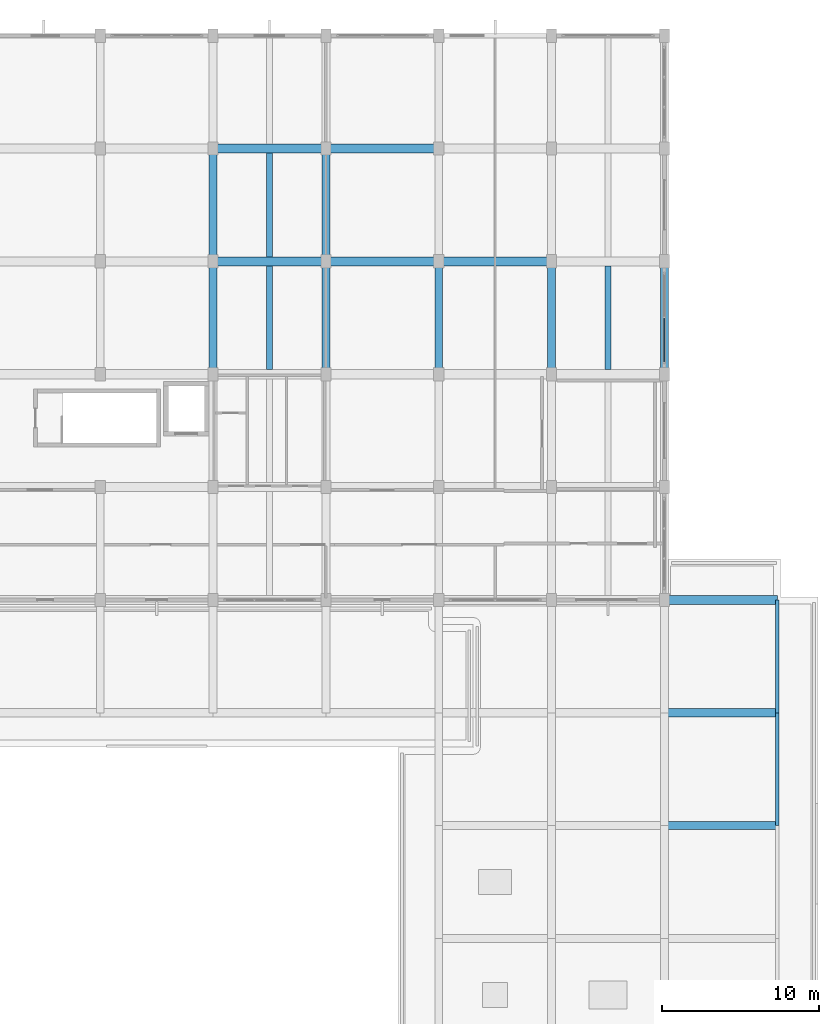
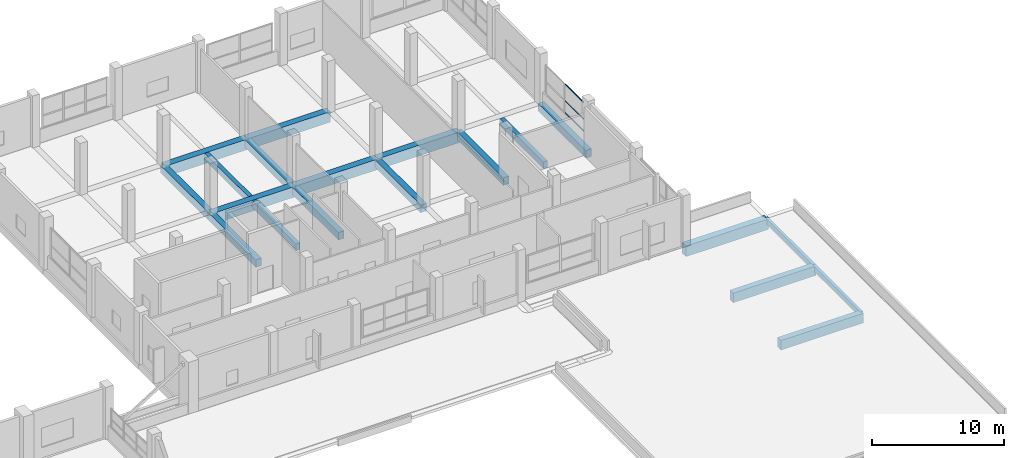
# One storey, part 103 of 140: 20 beams, 3 members, 1 element without a shape of its own.
"""IFC4 building model written with IfcOpenShell, lengths in metres."""

from ifc_helpers import new_model, si_unit, direction, frame, origin, origin_2d, place, context, subcontext, project, spatial, rectangle, hollow_rectangle, extrude, material, layer, layer_set, material_profile, profile_set, type_object, element, aggregate, save


model = new_model("IFC4")

# Units and contexts
model_context = context("Model", 3, precision=1e-05, world=origin(), true_north=direction((0.0, 1.0)))
body_context = subcontext(model_context, "Body", "Model", "MODEL_VIEW")
ifc_project = project(units=[si_unit("LENGTHUNIT", "METRE"), si_unit("AREAUNIT", "SQUARE_METRE"), si_unit("VOLUMEUNIT", "CUBIC_METRE"), si_unit("PLANEANGLEUNIT", "RADIAN"), si_unit("MASSUNIT", "GRAM", prefix="KILO")], contexts=[model_context])

# Site, building, storey
site_placement = place(None, origin())
site = spatial("IfcSite", under=ifc_project, at=site_placement, CompositionType="ELEMENT")
building_placement = place(site_placement, origin())
building = spatial("IfcBuilding", under=site, at=building_placement, Name="Seraya Terrace Polytechnic", CompositionType="ELEMENT")
storey_placement = place(building_placement, frame((0.0, 0.0, 9.60009765625)))
storey = spatial("IfcBuildingStorey", under=building, at=storey_placement, Name="L02", CompositionType="ELEMENT", Elevation=9.60009765625)

# Beams
ifc_material_1 = material(Name="Concrete C40/50", Category="concrete")
ifc_material_profile_1 = material_profile(ifc_material_1, rectangle(XDim=0.580078125, YDim=0.97998046875, at=origin_2d()), Name="RC 580x980")
ifc_profile_set_1 = profile_set([ifc_material_profile_1], Name="Concrete C40/50")
beam_type_1 = type_object("IfcBeamType", Name="BM-02", PredefinedType="BEAM", material=ifc_profile_set_1)
beam_1_placement = place(storey_placement, frame((158.39990234375, 79.199951171875, -0.489990234375), z_axis=(1.0, 0.0, 0.0), x_axis=(0.0, 1.0, 0.0)))
element("IfcBeam", 1, at=beam_1_placement, inside=storey, type_object=beam_type_1, Name="Beam BM-02 L02 X (158.4..165.6, 79.2)", PredefinedType="BEAM", context=body_context, shape_type="SweptSolid", body=[
    extrude(rectangle(XDim=0.580078125, YDim=0.97998046875, at=origin_2d()), origin(), (0.0, 0.0, 1.0), 7.2001953125),
])
for number, where, z_axis, x_axis, name in (
    (2, (129.60009765625, 100.800048828125, -0.489990234375), (1.0, 0.0, 0.0), (0.0, 1.0, 0.0), "Beam BM-02 L02 X (129.6..136.8, 100.8)"),
    (3, (136.800048828125, 100.800048828125, -0.489990234375), (1.0, 0.0, 0.0), (0.0, 1.0, 0.0), "Beam BM-02 L02 X (136.8..144.0, 100.8)"),
    (4, (144.0, 100.800048828125, -0.489990234375), (1.0, 0.0, 0.0), (0.0, 1.0, 0.0), "Beam BM-02 L02 X (144.0..151.2, 100.8)"),
    (5, (129.60009765625, 108.0, -0.489990234375), (1.0, 0.0, 0.0), (0.0, 1.0, 0.0), "Beam BM-02 L02 X (129.6..136.8, 108.0)"),
    (6, (136.800048828125, 108.0, -0.489990234375), (1.0, 0.0, 0.0), (0.0, 1.0, 0.0), "Beam BM-02 L02 X (136.8..144.0, 108.0)"),
):
    element("IfcBeam", number, at=place(storey_placement, frame(where, z_axis=z_axis, x_axis=x_axis)), inside=storey, type_object=beam_type_1, Name=name, PredefinedType="BEAM", context=body_context, shape_type="SweptSolid", body=[
        extrude(rectangle(XDim=0.580078125, YDim=0.97998046875, at=origin_2d()), origin(), (0.0, 0.0, 1.0), 7.199951171875),
    ])
ifc_material_profile_2 = material_profile(ifc_material_1, rectangle(XDim=0.52001953125, YDim=0.8798828125, at=origin_2d()), Name="RC 520x880")
ifc_profile_set_2 = profile_set([ifc_material_profile_2], Name="Concrete C40/50")
beam_type_2 = type_object("IfcBeamType", Name="BM-04", PredefinedType="BEAM", material=ifc_profile_set_2)
for number, where, z_axis, x_axis, name in (
    (7, (158.39990234375, 64.800048828125, -0.440185546875), (1.0, 0.0, 0.0), (0.0, 1.0, 0.0), "Beam BM-04 L02 X (158.4..165.6, 64.8)"),
    (8, (158.39990234375, 72.0, -0.440185546875), (1.0, 0.0, 0.0), (0.0, 1.0, 0.0), "Beam BM-04 L02 X (158.4..165.6, 72.0)"),
):
    element("IfcBeam", number, at=place(storey_placement, frame(where, z_axis=z_axis, x_axis=x_axis)), inside=storey, type_object=beam_type_2, Name=name, PredefinedType="BEAM", context=body_context, shape_type="SweptSolid", body=[
        extrude(rectangle(XDim=0.52001953125, YDim=0.8798828125, at=origin_2d()), origin(), (0.0, 0.0, 1.0), 7.2001953125),
    ])
ifc_material_profile_3 = material_profile(ifc_material_1, rectangle(XDim=0.5, YDim=0.699951171875, at=origin_2d()), Name="RC 500x700")
ifc_profile_set_3 = profile_set([ifc_material_profile_3], Name="Concrete C40/50")
beam_type_3 = type_object("IfcBeamType", Name="BM-07", PredefinedType="BEAM", material=ifc_profile_set_3)
for number, where, z_axis, x_axis, name in (
    (9, (129.60009765625, 93.60009765625, -0.35009765625), (0.0, 1.0, 0.0), (-1.0, 0.0, 0.0), "Beam BM-07 L02 Y (129.6, 93.6..100.8)"),
    (10, (129.60009765625, 100.800048828125, -0.35009765625), (0.0, 1.0, 0.0), (-1.0, 0.0, 0.0), "Beam BM-07 L02 Y (129.6, 100.8..108.0)"),
    (11, (136.800048828125, 93.60009765625, -0.35009765625), (0.0, 1.0, 0.0), (-1.0, 0.0, 0.0), "Beam BM-07 L02 Y (136.8, 93.6..100.8)"),
    (12, (136.800048828125, 100.800048828125, -0.35009765625), (0.0, 1.0, 0.0), (-1.0, 0.0, 0.0), "Beam BM-07 L02 Y (136.8, 100.8..108.0)"),
    (13, (144.0, 93.60009765625, -0.35009765625), (0.0, 1.0, 0.0), (-1.0, 0.0, 0.0), "Beam BM-07 L02 Y (144.0, 93.6..100.8)"),
    (14, (151.199951171875, 93.60009765625, -0.35009765625), (0.0, 1.0, 0.0), (-1.0, 0.0, 0.0), "Beam BM-07 L02 Y (151.2, 93.6..100.8)"),
    (15, (158.39990234375, 93.60009765625, -0.35009765625), (0.0, 1.0, 0.0), (-1.0, 0.0, 0.0), "Beam BM-07 L02 Y (158.4, 93.6..100.8)"),
):
    element("IfcBeam", number, at=place(storey_placement, frame(where, z_axis=z_axis, x_axis=x_axis)), inside=storey, type_object=beam_type_3, Name=name, PredefinedType="BEAM", context=body_context, shape_type="SweptSolid", body=[
        extrude(rectangle(XDim=0.5, YDim=0.699951171875, at=origin_2d()), origin(), (0.0, 0.0, 1.0), 7.199951171875),
    ])

# Curtain wall, members
ifc_material_2 = material(Name="Anodised aluminium EN AW-6063 T6", Category="aluminium")
ifc_layer = layer(ifc_material_2, 0.179931640625, Name="CW-18")
ifc_layer_set = layer_set([ifc_layer], Name="Anodised aluminium EN AW-6063 T6")
curtain_wall_type = type_object("IfcCurtainWallType", Name="CW-18", PredefinedType="NOTDEFINED", material=ifc_layer_set)
curtain_wall_placement = place(storey_placement, origin())
curtain_wall = element("IfcCurtainWall", 16, at=curtain_wall_placement, inside=storey, type_object=curtain_wall_type, Name="Unitised curtain wall CW-18 (CW-L02-090)", PredefinedType="NOTDEFINED")
ifc_material_profile_4 = material_profile(ifc_material_2, hollow_rectangle(XDim=0.054931640625, YDim=0.10009765625, WallThickness=0.0029296875, at=origin_2d()), Name="RHS 100x55x3.0")
ifc_profile_set_4 = profile_set([ifc_material_profile_4], Name="Anodised aluminium EN AW-6063 T6")
member_type = type_object("IfcMemberType", Name="CWT-03", PredefinedType="USERDEFINED", material=ifc_profile_set_4)
member_1_placement = place(storey_placement, frame((158.39990234375, 97.169921875, 1.267333984375), z_axis=(0.0, -1.0, 0.0), x_axis=(1.0, 0.0, 0.0)))
member_1 = element("IfcMember", 17, at=member_1_placement, type_object=member_type, Name="CW-18 transom 2.1", ObjectType="TRANSOM", PredefinedType="USERDEFINED", context=body_context, shape_type="SweptSolid", body=[
    extrude(hollow_rectangle(XDim=0.054931640625, YDim=0.10009765625, WallThickness=0.0029296875, at=origin_2d()), origin(), (0.0, 0.0, 1.0), 2.7900390625),
])
member_2_placement = place(storey_placement, frame((158.39990234375, 97.169921875, 2.365478515625), z_axis=(0.0, -1.0, 0.0), x_axis=(1.0, 0.0, 0.0)))
member_2 = element("IfcMember", 18, at=member_2_placement, type_object=member_type, Name="CW-18 transom 2.2", ObjectType="TRANSOM", PredefinedType="USERDEFINED", context=body_context, shape_type="SweptSolid", body=[
    extrude(hollow_rectangle(XDim=0.054931640625, YDim=0.10009765625, WallThickness=0.0029296875, at=origin_2d()), origin(), (0.0, 0.0, 1.0), 2.7900390625),
])
member_3_placement = place(storey_placement, frame((158.39990234375, 97.169921875, 3.892333984375), z_axis=(0.0, -1.0, 0.0), x_axis=(1.0, 0.0, 0.0)))
member_3 = element("IfcMember", 19, at=member_3_placement, type_object=member_type, Name="CW-18 transom 2.3", ObjectType="TRANSOM", PredefinedType="USERDEFINED", context=body_context, shape_type="SweptSolid", body=[
    extrude(hollow_rectangle(XDim=0.054931640625, YDim=0.10009765625, WallThickness=0.0029296875, at=origin_2d()), origin(), (0.0, 0.0, 1.0), 2.7900390625),
])
aggregate(curtain_wall, [member_1, member_2, member_3])

# Beams
ifc_material_profile_5 = material_profile(ifc_material_1, rectangle(XDim=0.360107421875, YDim=0.6201171875, at=origin_2d()), Name="RC 360x620")
ifc_profile_set_5 = profile_set([ifc_material_profile_5], Name="Concrete C40/50")
beam_type_4 = type_object("IfcBeamType", Name="JS-01", PredefinedType="JOIST", material=ifc_profile_set_5)
beam_2_placement = place(storey_placement, frame((133.199951171875, 93.889892578125, -0.31005859375), z_axis=(0.0, 1.0, 0.0), x_axis=(-1.0, 0.0, 0.0)))
element("IfcBeam", 20, at=beam_2_placement, inside=storey, type_object=beam_type_4, Name="Secondary joist JS-01 L02", PredefinedType="JOIST", context=body_context, shape_type="SweptSolid", body=[
    extrude(rectangle(XDim=0.360107421875, YDim=0.6201171875, at=origin_2d()), origin(), (0.0, 0.0, 1.0), 6.6201171875),
])
beam_3_placement = place(storey_placement, frame((133.199951171875, 101.090087890625, -0.31005859375), z_axis=(0.0, 1.0, 0.0), x_axis=(-1.0, 0.0, 0.0)))
element("IfcBeam", 21, at=beam_3_placement, inside=storey, type_object=beam_type_4, Name="Secondary joist JS-01 L02", PredefinedType="JOIST", context=body_context, shape_type="SweptSolid", body=[
    extrude(rectangle(XDim=0.360107421875, YDim=0.6201171875, at=origin_2d()), origin(), (0.0, 0.0, 1.0), 6.619873046875),
])
beam_4_placement = place(storey_placement, frame((154.800048828125, 93.889892578125, -0.31005859375), z_axis=(0.0, 1.0, 0.0), x_axis=(-1.0, 0.0, 0.0)))
element("IfcBeam", 22, at=beam_4_placement, inside=storey, type_object=beam_type_4, Name="Secondary joist JS-01 L02", PredefinedType="JOIST", context=body_context, shape_type="SweptSolid", body=[
    extrude(rectangle(XDim=0.360107421875, YDim=0.6201171875, at=origin_2d()), origin(), (0.0, 0.0, 1.0), 6.6201171875),
])
ifc_material_profile_6 = material_profile(ifc_material_1, rectangle(XDim=0.25, YDim=0.5, at=origin_2d()), Name="RC 250x500")
ifc_profile_set_6 = profile_set([ifc_material_profile_6], Name="Concrete C40/50")
beam_type_5 = type_object("IfcBeamType", Name="SP-03", PredefinedType="SPANDREL", material=ifc_profile_set_6)
for number, where, z_axis, x_axis, name in (
    (23, (165.60009765625, 64.800048828125, -0.25), (0.0, 1.0, 0.0), (-1.0, 0.0, 0.0), "Beam SP-03 L02 Y (165.6, 64.8..72.0)"),
    (24, (165.60009765625, 72.0, -0.25), (0.0, 1.0, 0.0), (-1.0, 0.0, 0.0), "Beam SP-03 L02 Y (165.6, 72.0..79.2)"),
):
    element("IfcBeam", number, at=place(storey_placement, frame(where, z_axis=z_axis, x_axis=x_axis)), inside=storey, type_object=beam_type_5, Name=name, PredefinedType="SPANDREL", context=body_context, shape_type="SweptSolid", body=[
        extrude(rectangle(XDim=0.25, YDim=0.5, at=origin_2d()), origin(), (0.0, 0.0, 1.0), 7.199951171875),
    ])

save(model, "model.ifc")
